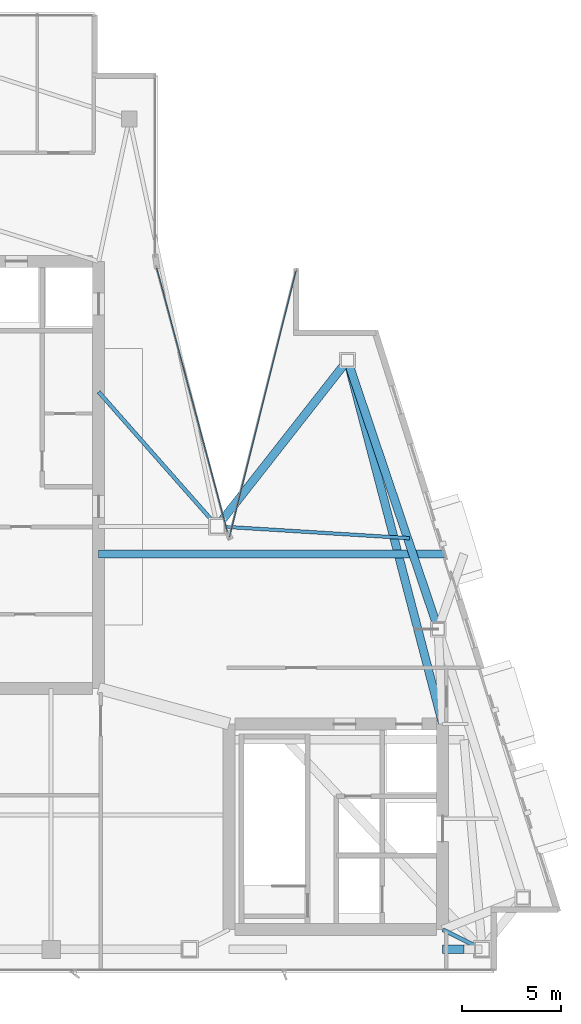
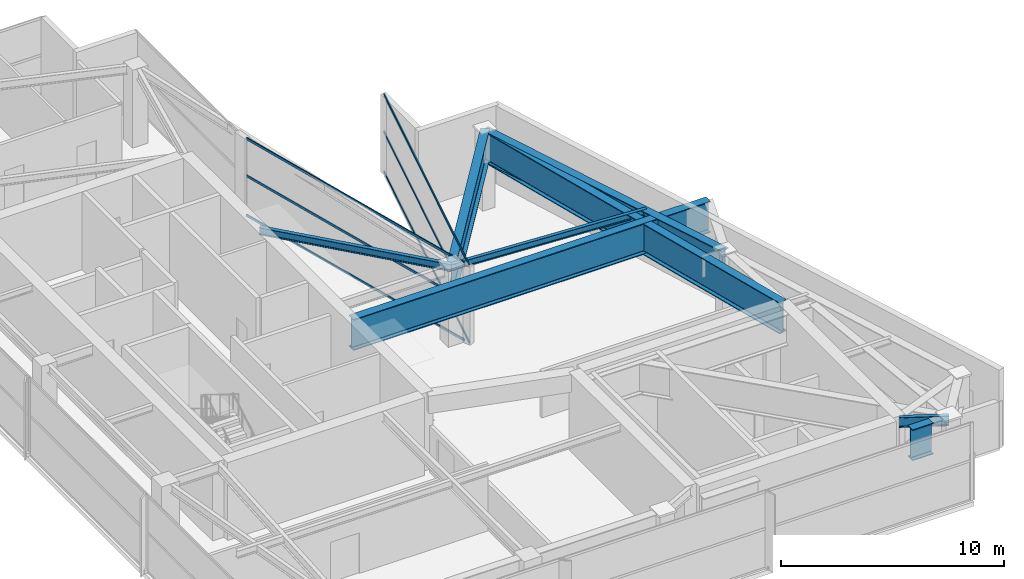
# One storey, part 11 of 25: 8 beams, 6 members, 2 elements without a shape of their own.
"""IFC4 building model written with IfcOpenShell, lengths in metres."""

import ifcopenshell
import ifcopenshell.guid

model = None  # the IFC model being written
_history = None  # IfcOwnerHistory: only IFC2X3 demands one
_inside = {}  # id of a spatial element -> (the spatial element, [elements in it])
_under = {}  # id of a project, library or spatial element -> (it, [spatial elements below it])
_declared = {}  # id of a project -> (the project, [libraries it declares])
_typed = {}  # id of a type object -> (the type object, [elements of that type])
_made_of = {}  # id of a material, layer set ... -> (it, [elements and type objects made of it])


def new_model(schema):
    """Start an empty IFC model of exactly this schema.

    Asked for "IFC4X3", IfcOpenShell would pick the latest addendum, in which some entities
    have other attributes; the version numbers below select the first issue.
    IFC2X3 requires an IfcOwnerHistory on every rooted entity: one is made here for all.
    """
    global model, _history
    if schema == "IFC4X3":
        model = ifcopenshell.file(schema_version=(4, 3, 0, 0))
    else:
        model = ifcopenshell.file(schema=schema)
    _inside.clear()
    _under.clear()
    _declared.clear()
    _typed.clear()
    _made_of.clear()
    _history = None
    if model.schema == "IFC2X3":
        org = make("IfcOrganization", Name="unknown")
        user = make(
            "IfcPersonAndOrganization",
            ThePerson=make("IfcPerson", FamilyName="unknown"),
            TheOrganization=org,
        )
        app = make(
            "IfcApplication",
            ApplicationDeveloper=org,
            Version="unknown",
            ApplicationFullName="unknown",
            ApplicationIdentifier="unknown",
        )
        _history = make(
            "IfcOwnerHistory",
            OwningUser=user,
            OwningApplication=app,
            ChangeAction="ADDED",
            CreationDate=0,
        )
    return model


def make(cls, **values):
    """One entity of the class cls with the attributes given. An attribute that is None is left unset."""
    return model.create_entity(
        cls, **{name: value for name, value in values.items() if value is not None}
    )


def rooted(cls, **values):
    """An entity with a GlobalId (a new one), such as an element, a storey or a relation."""
    return make(cls, GlobalId=ifcopenshell.guid.new(), OwnerHistory=_history, **values)


def si_unit(unit_type, name, prefix=None):
    """IfcSIUnit, for example si_unit("LENGTHUNIT", "METRE", prefix="MILLI")."""
    return make("IfcSIUnit", UnitType=unit_type, Prefix=prefix, Name=name)


def assignment(units):
    """IfcUnitAssignment: the units of a project."""
    return None if units is None else make("IfcUnitAssignment", Units=units)


def point(xyz):
    """IfcCartesianPoint."""
    return None if xyz is None else make("IfcCartesianPoint", Coordinates=xyz)


def direction(xyz):
    """IfcDirection."""
    return None if xyz is None else make("IfcDirection", DirectionRatios=xyz)


def frame(location, z_axis=None, x_axis=None):
    """IfcAxis2Placement3D, a coordinate frame: its origin and axes. An axis left out is left unset."""
    return make(
        "IfcAxis2Placement3D",
        Location=point(location),
        Axis=direction(z_axis),
        RefDirection=direction(x_axis),
    )


def frame_2d(location, x_axis=None):
    """IfcAxis2Placement2D, a coordinate frame in the plane: its origin and x axis."""
    return make(
        "IfcAxis2Placement2D", Location=point(location), RefDirection=direction(x_axis)
    )


def origin():
    """The frame at (0, 0, 0) with its axes left unset."""
    return frame((0.0, 0.0, 0.0))


def origin_2d():
    """The frame at (0, 0) in the plane with its x axis left unset."""
    return frame_2d((0.0, 0.0))


def place(relative_to, where):
    """IfcLocalPlacement: puts the frame where relative to a parent placement (None: the world)."""
    return make(
        "IfcLocalPlacement", PlacementRelTo=relative_to, RelativePlacement=where
    )


def context(
    kind, dimensions, precision=None, world=None, true_north=None, identifier=None
):
    """IfcGeometricRepresentationContext, for example the 3D "Model" context."""
    return make(
        "IfcGeometricRepresentationContext",
        ContextIdentifier=identifier,
        ContextType=kind,
        CoordinateSpaceDimension=dimensions,
        Precision=precision,
        WorldCoordinateSystem=world,
        TrueNorth=true_north,
    )


def subcontext(parent, identifier, kind, view, scale=None):
    """IfcGeometricRepresentationSubContext, for example "Body" below "Model"."""
    return make(
        "IfcGeometricRepresentationSubContext",
        ContextIdentifier=identifier,
        ContextType=kind,
        ParentContext=parent,
        TargetScale=scale,
        TargetView=view,
    )


def project(units=None, contexts=None):
    """IfcProject with its units and contexts."""
    return rooted(
        "IfcProject",
        Name="project",
        RepresentationContexts=contexts,
        UnitsInContext=assignment(units),
    )


def spatial(cls, under=None, at=None, **own):
    """A site, building, storey or space (cls), placed at a placement, below another one or the project."""
    s = rooted(cls, ObjectPlacement=at, **own)
    if under is not None:
        _under.setdefault(under.id(), (under, []))[1].append(s)
    return s


def profile(cls, at=None, kind="AREA", **sizes):
    """A parametric profile (cls). Its sizes go by their IFC names, for example OverallWidth=200.0."""
    return make(cls, ProfileType=kind, Position=at, **sizes)


def hollow_rectangle(**sizes):
    """IfcRectangleHollowProfileDef."""
    return profile("IfcRectangleHollowProfileDef", **sizes)


def i_section(**sizes):
    """IfcIShapeProfileDef."""
    return profile("IfcIShapeProfileDef", **sizes)


def extrude(swept, where, along, depth):
    """IfcExtrudedAreaSolid: the profile swept, set in the frame where, extruded along a direction by depth."""
    return make(
        "IfcExtrudedAreaSolid",
        SweptArea=swept,
        Position=where,
        ExtrudedDirection=direction(along),
        Depth=depth,
    )


def shape(context_of_items, identifier, shape_type, items):
    """IfcShapeRepresentation: the items that make up one representation, for example the "Body"."""
    return make(
        "IfcShapeRepresentation",
        ContextOfItems=context_of_items,
        RepresentationIdentifier=identifier,
        RepresentationType=shape_type,
        Items=items,
    )


def material(Name=None, Category=None):
    """IfcMaterial."""
    return make("IfcMaterial", Name=Name, Category=Category)


def layer(
    of_material, thickness, ventilated=None, Name=None, Category=None, Priority=None
):
    """IfcMaterialLayer: one layer of a wall or slab, of a material (None: an air gap)."""
    return make(
        "IfcMaterialLayer",
        Material=of_material,
        LayerThickness=thickness,
        IsVentilated=ventilated,
        Name=Name,
        Category=Category,
        Priority=Priority,
    )


def layer_set(layers, Name=None):
    """IfcMaterialLayerSet."""
    return make("IfcMaterialLayerSet", MaterialLayers=layers, LayerSetName=Name)


def material_profile(
    of_material, cross_section, Name=None, Category=None, Priority=None
):
    """IfcMaterialProfile: a cross section and its material."""
    return make(
        "IfcMaterialProfile",
        Name=Name,
        Material=of_material,
        Profile=cross_section,
        Priority=Priority,
        Category=Category,
    )


def profile_set(profiles, Name=None, composite=None):
    """IfcMaterialProfileSet."""
    return make(
        "IfcMaterialProfileSet",
        Name=Name,
        MaterialProfiles=profiles,
        CompositeProfile=composite,
    )


def made_of(thing, what):
    """Note that an element or type object is made of a material, layer set ...; save() writes the relation."""
    if what is not None:
        _made_of.setdefault(what.id(), (what, []))[1].append(thing)
    return thing


def type_object(cls, material=None, **own):
    """A type object (cls), such as IfcWallType, which elements share."""
    return made_of(rooted(cls, **own), material)


def element(
    cls,
    number,
    at=None,
    inside=None,
    cuts=None,
    type_object=None,
    material=None,
    context=None,
    identifier="Body",
    shape_type=None,
    held_by="IfcProductDefinitionShape",
    body=None,
    shapes=None,
    **own,
):
    """One element of the class cls, such as IfcWall. Its Tag is "e" and its number.

    at: its placement. inside: the storey or other place that contains it. cuts: it is an
    opening in that element (IfcRelVoidsElement). A single representation is given by context,
    identifier, shape_type and body (its items); several are given by shapes. held_by: the class
    of the entity that holds the representations. save() writes the other relations.
    """
    e = rooted(cls, Tag="e%d" % number, ObjectPlacement=at, **own)
    if body is not None:
        shapes = [shape(context, identifier, shape_type, body)]
    if shapes is not None:
        e.Representation = make(held_by, Representations=shapes)
    if inside is not None:
        _inside.setdefault(inside.id(), (inside, []))[1].append(e)
    if cuts is not None:
        rooted(
            "IfcRelVoidsElement", RelatingBuildingElement=cuts, RelatedOpeningElement=e
        )
    if type_object is not None:
        _typed.setdefault(type_object.id(), (type_object, []))[1].append(e)
    return made_of(e, material)


def aggregate(whole, parts):
    """IfcRelAggregates: a whole, such as a stair, and the parts it consists of."""
    return rooted("IfcRelAggregates", RelatingObject=whole, RelatedObjects=parts)


def save(model, path):
    """Write the relations noted so far, then the file.

    IfcRelAggregates (storeys below a building ...), IfcRelContainedInSpatialStructure (elements
    in a storey), IfcRelDefinesByType, IfcRelAssociatesMaterial and IfcRelDeclares: one each for
    every whole, place, type object, material and project.
    """
    for whole, parts in _under.values():
        aggregate(whole, parts)
    for where, things in _inside.values():
        rooted(
            "IfcRelContainedInSpatialStructure",
            RelatedElements=things,
            RelatingStructure=where,
        )
    for kind, things in _typed.values():
        rooted("IfcRelDefinesByType", RelatedObjects=things, RelatingType=kind)
    for what, things in _made_of.values():
        rooted("IfcRelAssociatesMaterial", RelatedObjects=things, RelatingMaterial=what)
    for by, libraries in _declared.values():
        rooted("IfcRelDeclares", RelatingContext=by, RelatedDefinitions=libraries)
    model.write(path)


model = new_model("IFC4")

# Units and contexts
model_context = context("Model", 3, precision=1e-05, world=origin(), true_north=direction((0.0, 1.0)))
body_context = subcontext(model_context, "Body", "Model", "MODEL_VIEW")
ifc_project = project(units=[si_unit("LENGTHUNIT", "METRE"), si_unit("AREAUNIT", "SQUARE_METRE"), si_unit("VOLUMEUNIT", "CUBIC_METRE"), si_unit("PLANEANGLEUNIT", "RADIAN"), si_unit("MASSUNIT", "GRAM", prefix="KILO")], contexts=[model_context])

# Site, building, storey
site_placement = place(None, origin())
site = spatial("IfcSite", under=ifc_project, at=site_placement, CompositionType="ELEMENT")
building_placement = place(site_placement, origin())
building = spatial("IfcBuilding", under=site, at=building_placement, Name="Calvorn Quay Hotel", CompositionType="ELEMENT")
storey_placement = place(building_placement, frame((0.0, 0.0, 316.0)))
storey = spatial("IfcBuildingStorey", under=building, at=storey_placement, Name="L78", CompositionType="ELEMENT", Elevation=316.0)

# Beams
ifc_material_1 = material(Name="Steel Q355B", Category="steel")
ifc_material_profile_1 = material_profile(ifc_material_1, i_section(OverallWidth=0.199951171875, OverallDepth=0.550048828125, WebThickness=0.010009765625, FlangeThickness=0.01611328125, FilletRadius=0.01806640625, at=origin_2d()), Name="HN550x200x10x16")
ifc_profile_set_1 = profile_set([ifc_material_profile_1], Name="Steel Q355B")
beam_type_1 = type_object("IfcBeamType", Name="BM-GIRD-UPP", PredefinedType="BEAM", material=ifc_profile_set_1)
beam_1_placement = place(storey_placement, frame((34.39990234375, 3.60009765625, 3.965087890625), z_axis=(-0.894427191, 0.4472135955, 0.0), x_axis=(-0.4472135955, -0.894427191, 0.0)))
element("IfcBeam", 1, at=beam_1_placement, inside=storey, type_object=beam_type_1, Name="Beam BG-L78-S3", PredefinedType="BEAM", context=body_context, shape_type="SweptSolid", body=[
    extrude(i_section(OverallWidth=0.199951171875, OverallDepth=0.550048828125, WebThickness=0.010009765625, FlangeThickness=0.01611328125, FilletRadius=0.01806640625, at=origin_2d()), origin(), (0.0, 0.0, 1.0), 2.236083984375),
])
ifc_material_2 = material(Name="Steel Q355B", Category="steel")
ifc_material_profile_2 = material_profile(ifc_material_2, i_section(OverallWidth=0.175048828125, OverallDepth=0.35009765625, WebThickness=0.007080078125, FlangeThickness=0.010986328125, FilletRadius=0.013916015625, at=origin_2d()), Name="HN350x175x7x11")
ifc_profile_set_2 = profile_set([ifc_material_profile_2], Name="Steel Q355B")
beam_type_2 = type_object("IfcBeamType", Name="BM-JOIST-SEC", PredefinedType="JOIST", material=ifc_profile_set_2)
beam_2_placement = place(storey_placement, frame((21.0, 25.0, 4.06494140625), z_axis=(0.998102359561, -0.061576617635, 0.0), x_axis=(0.061576617635, 0.998102359561, 0.0)))
element("IfcBeam", 2, at=beam_2_placement, inside=storey, type_object=beam_type_2, Name="Beam BJ-L78-E3", PredefinedType="JOIST", context=body_context, shape_type="SweptSolid", body=[
    extrude(i_section(OverallWidth=0.175048828125, OverallDepth=0.35009765625, WebThickness=0.007080078125, FlangeThickness=0.010986328125, FilletRadius=0.013916015625, at=origin_2d()), origin(), (0.0, 0.0, 1.0), 9.74560546875),
])
ifc_material_3 = material(Name="Steel Q355B", Category="steel")
ifc_material_profile_3 = material_profile(ifc_material_3, i_section(OverallWidth=0.199951171875, OverallDepth=0.39990234375, WebThickness=0.008056640625, FlangeThickness=0.012939453125, FilletRadius=0.01611328125, at=origin_2d()), Name="HN400x200x8x13")
ifc_profile_set_3 = profile_set([ifc_material_profile_3], Name="Steel Q355B")
beam_type_3 = type_object("IfcBeamType", Name="BM-JOIST-TYP", PredefinedType="JOIST", material=ifc_profile_set_3)
beam_3_placement = place(storey_placement, frame((15.0, 31.800048828125, 4.0400390625), z_axis=(0.661618965899, -0.749840212287, 0.0), x_axis=(0.749840212287, 0.661618965899, 0.0)))
element("IfcBeam", 3, at=beam_3_placement, inside=storey, type_object=beam_type_3, Name="Beam BJ-L78-C1", PredefinedType="JOIST", context=body_context, shape_type="SweptSolid", body=[
    extrude(i_section(OverallWidth=0.199951171875, OverallDepth=0.39990234375, WebThickness=0.008056640625, FlangeThickness=0.012939453125, FilletRadius=0.01611328125, at=origin_2d()), origin(), (0.0, 0.0, 1.0), 9.068603515625),
])
ifc_material_4 = material(Name="Steel Q420GJC", Category="steel")
ifc_material_profile_4 = material_profile(ifc_material_4, i_section(OverallWidth=0.419921875, OverallDepth=1.699951171875, WebThickness=0.02392578125, FlangeThickness=0.0419921875, FilletRadius=0.02392578125, at=origin_2d()), Name="HN1700x420x24x42")
ifc_profile_set_4 = profile_set([ifc_material_profile_4], Name="Steel Q420GJC")
beam_type_4 = type_object("IfcBeamType", Name="BM-XFER-SAWTOOTH", PredefinedType="BEAM", material=ifc_profile_set_4)
beam_4_placement = place(storey_placement, frame((32.39990234375, 3.60009765625, 3.389892578125), z_axis=(1.0, 0.0, 0.0), x_axis=(0.0, 1.0, 0.0)))
element("IfcBeam", 4, at=beam_4_placement, inside=storey, type_object=beam_type_4, Name="Beam BTG-L78-C-CR1A", PredefinedType="BEAM", context=body_context, shape_type="SweptSolid", body=[
    extrude(i_section(OverallWidth=0.419921875, OverallDepth=1.699951171875, WebThickness=0.02392578125, FlangeThickness=0.0419921875, FilletRadius=0.02392578125, at=origin_2d()), origin(), (0.0, 0.0, 1.0), 1.0830078125),
])
beam_5_placement = place(storey_placement, frame((15.0, 23.60009765625, 3.389892578125), z_axis=(1.0, 0.0, 0.0), x_axis=(0.0, 1.0, 0.0)))
element("IfcBeam", 5, at=beam_5_placement, inside=storey, type_object=beam_type_4, Name="Beam BTG-L78-C-CR3A", PredefinedType="BEAM", context=body_context, shape_type="SweptSolid", body=[
    extrude(i_section(OverallWidth=0.419921875, OverallDepth=1.699951171875, WebThickness=0.02392578125, FlangeThickness=0.0419921875, FilletRadius=0.02392578125, at=origin_2d()), origin(), (0.0, 0.0, 1.0), 18.48291015625),
])
beam_6_placement = place(storey_placement, frame((32.176025390625, 19.800048828125, 3.389892578125), z_axis=(-0.319466515944, 0.947597564998, 0.0), x_axis=(-0.947597564998, -0.319466515944, 0.0)))
element("IfcBeam", 6, at=beam_6_placement, inside=storey, type_object=beam_type_4, Name="Beam BSP-L78-E2", PredefinedType="BEAM", context=body_context, shape_type="SweptSolid", body=[
    extrude(i_section(OverallWidth=0.419921875, OverallDepth=1.699951171875, WebThickness=0.02392578125, FlangeThickness=0.0419921875, FilletRadius=0.02392578125, at=origin_2d()), origin(), (0.0, 0.0, 1.0), 14.35205078125),
])
beam_7_placement = place(storey_placement, frame((27.591064453125, 33.39990234375, 3.389892578125), z_axis=(-0.617308418305, -0.78672124459, 0.0), x_axis=(0.78672124459, -0.617308418305, 0.0)))
element("IfcBeam", 7, at=beam_7_placement, inside=storey, type_object=beam_type_4, Name="Beam BSP-L78-E3", PredefinedType="BEAM", context=body_context, shape_type="SweptSolid", body=[
    extrude(i_section(OverallWidth=0.419921875, OverallDepth=1.699951171875, WebThickness=0.02392578125, FlangeThickness=0.0419921875, FilletRadius=0.02392578125, at=origin_2d()), origin(), (0.0, 0.0, 1.0), 10.677001953125),
])
beam_8_placement = place(storey_placement, frame((32.39990234375, 15.0, 3.389892578125), z_axis=(-0.252858229408, 0.967503341504, 0.0), x_axis=(-0.967503341504, -0.252858229408, 0.0)))
element("IfcBeam", 8, at=beam_8_placement, inside=storey, type_object=beam_type_4, Name="Beam BTG-L78-03", PredefinedType="BEAM", context=body_context, shape_type="SweptSolid", body=[
    extrude(i_section(OverallWidth=0.419921875, OverallDepth=1.699951171875, WebThickness=0.02392578125, FlangeThickness=0.0419921875, FilletRadius=0.02392578125, at=origin_2d()), origin(), (0.0, 0.0, 1.0), 19.017822265625),
])

# Curtain wall, members
ifc_material_5 = material(Name="Champagne Bronze Anodised Aluminium and Low-E Glass", Category="aluminium")
ifc_layer = layer(ifc_material_5, 0.219970703125)
ifc_layer_set = layer_set([ifc_layer], Name="CW-SYS-Z4")
curtain_wall_type = type_object("IfcCurtainWallType", Name="CW-SYS-Z4", PredefinedType="NOTDEFINED", material=ifc_layer_set)
curtain_wall_1_placement = place(storey_placement, origin())
curtain_wall_1 = element("IfcCurtainWall", 9, at=curtain_wall_1_placement, inside=storey, type_object=curtain_wall_type, Name="Inner Court Curtain Wall L78-NE1", PredefinedType="NOTDEFINED")
ifc_material_6 = material(Name="Champagne Bronze Anodised Aluminium 6063-T6", Category="aluminium")
ifc_material_profile_5 = material_profile(ifc_material_6, hollow_rectangle(XDim=0.054931640625, YDim=0.1298828125, WallThickness=0.003173828125, at=origin_2d()), Name="ALU-T130x55x3.2")
ifc_profile_set_5 = profile_set([ifc_material_profile_5], Name="Champagne Bronze Anodised Aluminium 6063-T6")
member_type = type_object("IfcMemberType", Name="CW-SYS-Z4-TRN", PredefinedType="USERDEFINED", material=ifc_profile_set_5)
member_1_placement = place(storey_placement, frame((24.9853515625, 37.94189453125, 0.030029296875), z_axis=(-0.242531491896, -0.970143533421, 0.0), x_axis=(0.970143533421, -0.242531491896, 0.0)))
member_1 = element("IfcMember", 10, at=member_1_placement, type_object=member_type, Name="CW-L78-NE1 transom 1.1", ObjectType="TRANSOM", PredefinedType="USERDEFINED", context=body_context, shape_type="SweptSolid", body=[
    extrude(hollow_rectangle(XDim=0.054931640625, YDim=0.1298828125, WallThickness=0.003173828125, at=origin_2d()), origin(), (0.0, 0.0, 1.0), 13.898681640625),
])
member_2_placement = place(storey_placement, frame((24.9853515625, 37.94189453125, 2.199951171875), z_axis=(-0.242531491896, -0.970143533421, 0.0), x_axis=(0.970143533421, -0.242531491896, 0.0)))
member_2 = element("IfcMember", 11, at=member_2_placement, type_object=member_type, Name="CW-L78-NE1 transom 1.2", ObjectType="TRANSOM", PredefinedType="USERDEFINED", context=body_context, shape_type="SweptSolid", body=[
    extrude(hollow_rectangle(XDim=0.054931640625, YDim=0.1298828125, WallThickness=0.003173828125, at=origin_2d()), origin(), (0.0, 0.0, 1.0), 13.898681640625),
])
member_3_placement = place(storey_placement, frame((24.9853515625, 37.94189453125, 4.22998046875), z_axis=(-0.242531491896, -0.970143533421, 0.0), x_axis=(0.970143533421, -0.242531491896, 0.0)))
member_3 = element("IfcMember", 12, at=member_3_placement, type_object=member_type, Name="CW-L78-NE1 transom 1.3", ObjectType="TRANSOM", PredefinedType="USERDEFINED", context=body_context, shape_type="SweptSolid", body=[
    extrude(hollow_rectangle(XDim=0.054931640625, YDim=0.1298828125, WallThickness=0.003173828125, at=origin_2d()), origin(), (0.0, 0.0, 1.0), 13.898681640625),
])
aggregate(curtain_wall_1, [member_1, member_2, member_3])

curtain_wall_2_placement = place(storey_placement, origin())
curtain_wall_2 = element("IfcCurtainWall", 13, at=curtain_wall_2_placement, inside=storey, type_object=curtain_wall_type, Name="Inner Court Curtain Wall L78-IC1", PredefinedType="NOTDEFINED")
member_4_placement = place(storey_placement, frame((21.512451171875, 24.72802734375, 0.030029296875), z_axis=(-0.258781136883, 0.965935982969, 0.0), x_axis=(-0.965935982969, -0.258781136883, 0.0)))
member_4 = element("IfcMember", 14, at=member_4_placement, type_object=member_type, Name="CW-L78-IC1 transom 1.1", ObjectType="TRANSOM", PredefinedType="USERDEFINED", context=body_context, shape_type="SweptSolid", body=[
    extrude(hollow_rectangle(XDim=0.054931640625, YDim=0.1298828125, WallThickness=0.003173828125, at=origin_2d()), origin(), (0.0, 0.0, 1.0), 13.814453125),
])
member_5_placement = place(storey_placement, frame((21.512451171875, 24.72802734375, 2.199951171875), z_axis=(-0.258781136883, 0.965935982969, 0.0), x_axis=(-0.965935982969, -0.258781136883, 0.0)))
member_5 = element("IfcMember", 15, at=member_5_placement, type_object=member_type, Name="CW-L78-IC1 transom 1.2", ObjectType="TRANSOM", PredefinedType="USERDEFINED", context=body_context, shape_type="SweptSolid", body=[
    extrude(hollow_rectangle(XDim=0.054931640625, YDim=0.1298828125, WallThickness=0.003173828125, at=origin_2d()), origin(), (0.0, 0.0, 1.0), 13.814453125),
])
member_6_placement = place(storey_placement, frame((21.512451171875, 24.72802734375, 4.22998046875), z_axis=(-0.258781136883, 0.965935982969, 0.0), x_axis=(-0.965935982969, -0.258781136883, 0.0)))
member_6 = element("IfcMember", 16, at=member_6_placement, type_object=member_type, Name="CW-L78-IC1 transom 1.3", ObjectType="TRANSOM", PredefinedType="USERDEFINED", context=body_context, shape_type="SweptSolid", body=[
    extrude(hollow_rectangle(XDim=0.054931640625, YDim=0.1298828125, WallThickness=0.003173828125, at=origin_2d()), origin(), (0.0, 0.0, 1.0), 13.814453125),
])
aggregate(curtain_wall_2, [member_4, member_5, member_6])

save(model, "model.ifc")
